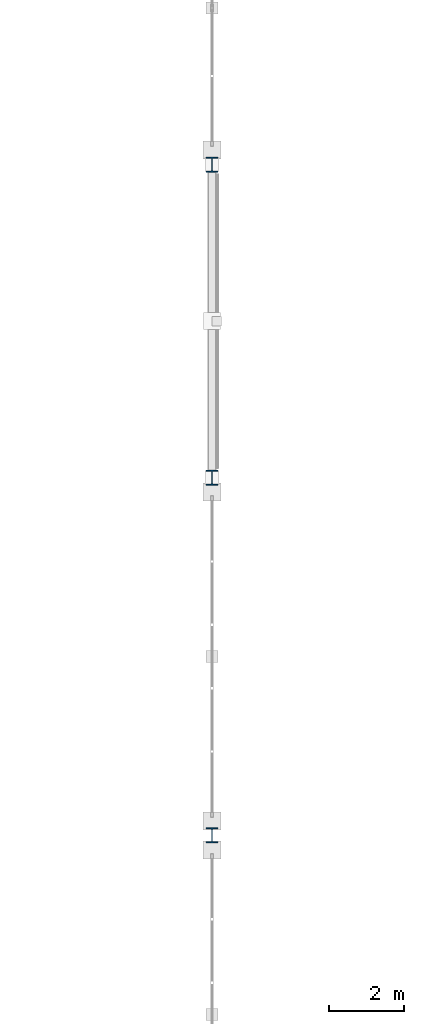
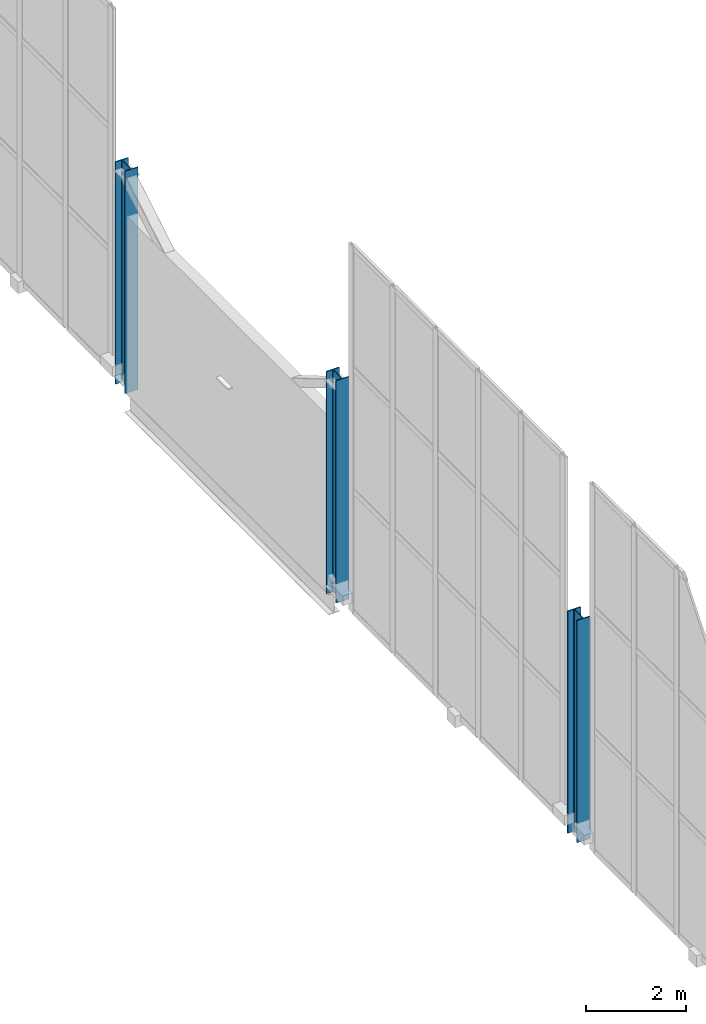
# One storey, part 17 of 175: 3 columns.
"""IFC4 building model written with IfcOpenShell, lengths in metres."""

from ifc_helpers import new_model, si_unit, direction, frame, origin, origin_2d, place, context, subcontext, project, spatial, i_section, extrude, material, material_profile, profile_set, type_object, element, save


model = new_model("IFC4")

# Units and contexts
model_context = context("Model", 3, precision=1e-05, world=origin(), true_north=direction((0.0, 1.0)))
body_context = subcontext(model_context, "Body", "Model", "MODEL_VIEW")
ifc_project = project(units=[si_unit("LENGTHUNIT", "METRE"), si_unit("AREAUNIT", "SQUARE_METRE"), si_unit("VOLUMEUNIT", "CUBIC_METRE"), si_unit("PLANEANGLEUNIT", "RADIAN"), si_unit("MASSUNIT", "GRAM", prefix="KILO")], contexts=[model_context])

# Site, building, storey
site_placement = place(None, origin())
site = spatial("IfcSite", under=ifc_project, at=site_placement, CompositionType="ELEMENT")
building_placement = place(site_placement, origin())
building = spatial("IfcBuilding", under=site, at=building_placement, Name="Brelvane Convention Centre", CompositionType="ELEMENT")
storey_placement = place(building_placement, frame((0.0, 0.0, 5.39990234375)))
storey = spatial("IfcBuildingStorey", under=building, at=storey_placement, Name="L01", CompositionType="ELEMENT", Elevation=5.39990234375)

# Columns
ifc_material = material(Name="Steel E350 (350 MPa)", Category="steel")
ifc_material_profile = material_profile(ifc_material, i_section(OverallWidth=0.300048828125, OverallDepth=0.39990234375, WebThickness=0.013427734375, FlangeThickness=0.02392578125, FilletRadius=0.027099609375, at=origin_2d()), Name="WPB 400x300")
ifc_profile_set = profile_set([ifc_material_profile], Name="Steel E350 (350 MPa)")
column_type = type_object("IfcColumnType", Name="Steel Column C-ST7 (WPB 400x300)", PredefinedType="COLUMN", material=ifc_profile_set)
for number, where, z_axis, x_axis, name in (
    (1, (224.39990234375, 109.199951171875, 0.0), (0.0, 0.0, 1.0), (1.0, 0.0, 0.0), "Column 23-L (L01)"),
    (2, (224.39990234375, 118.800048828125, 0.0), (0.0, 0.0, 1.0), (1.0, 0.0, 0.0), "Column 23-M (L01)"),
    (3, (224.39990234375, 127.199951171875, 0.0), (0.0, 0.0, 1.0), (1.0, 0.0, 0.0), "Column 23-N (L01)"),
):
    element("IfcColumn", number, at=place(storey_placement, frame(where, z_axis=z_axis, x_axis=x_axis)), inside=storey, type_object=column_type, Name=name, PredefinedType="COLUMN", context=body_context, shape_type="SweptSolid", body=[
        extrude(i_section(OverallWidth=0.300048828125, OverallDepth=0.39990234375, WebThickness=0.013427734375, FlangeThickness=0.02392578125, FilletRadius=0.027099609375, at=origin_2d()), origin(), (0.0, 0.0, 1.0), 5.400146484375),
    ])

save(model, "model.ifc")
